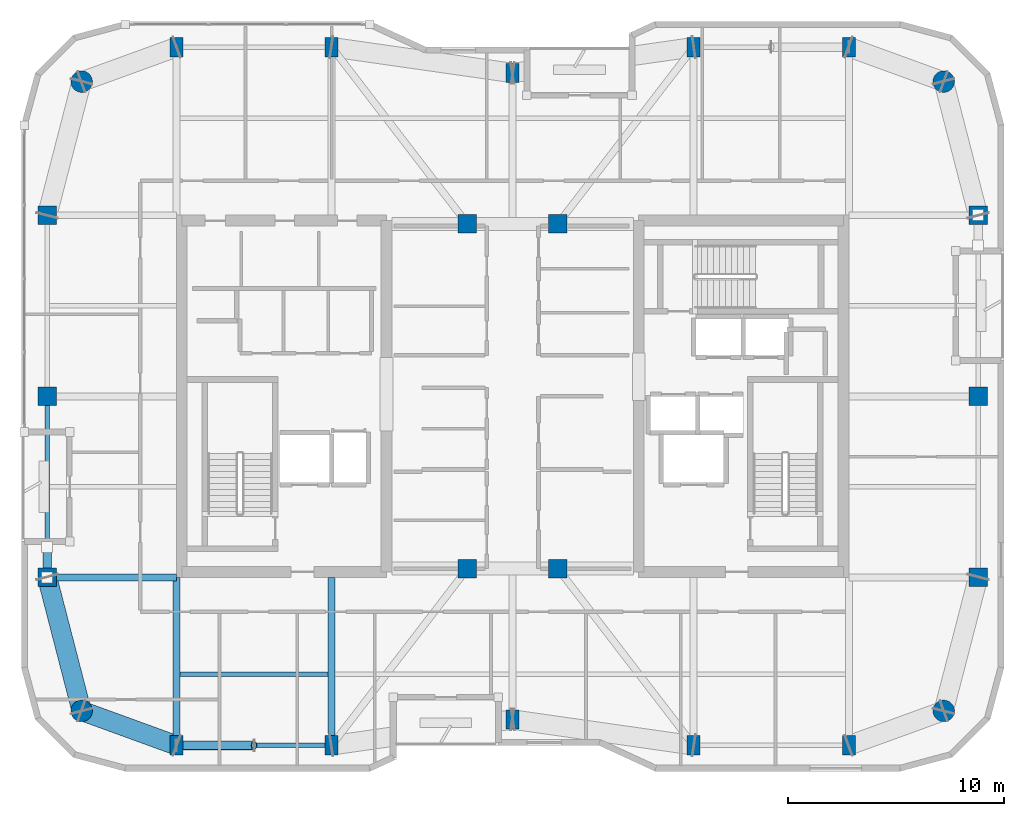
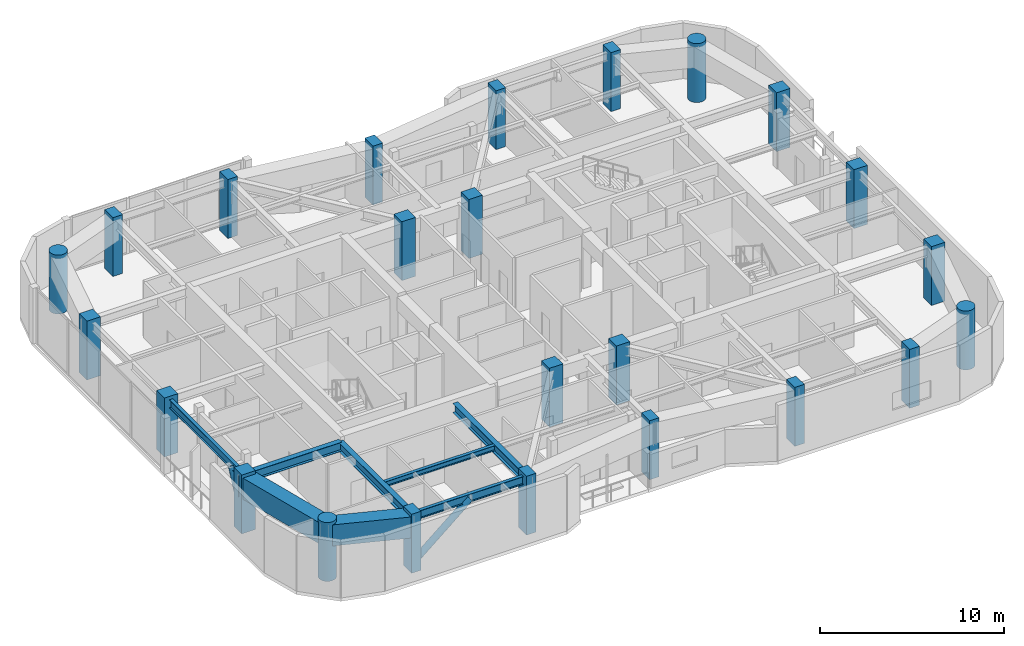
# One storey, part 1 of 16: 24 columns, 8 beams, 2 members.
"""IFC4 building model written with IfcOpenShell, lengths in metres."""

import ifcopenshell
import ifcopenshell.guid

model = None  # the IFC model being written
_history = None  # IfcOwnerHistory: only IFC2X3 demands one
_inside = {}  # id of a spatial element -> (the spatial element, [elements in it])
_under = {}  # id of a project, library or spatial element -> (it, [spatial elements below it])
_declared = {}  # id of a project -> (the project, [libraries it declares])
_typed = {}  # id of a type object -> (the type object, [elements of that type])
_made_of = {}  # id of a material, layer set ... -> (it, [elements and type objects made of it])


def new_model(schema):
    """Start an empty IFC model of exactly this schema.

    Asked for "IFC4X3", IfcOpenShell would pick the latest addendum, in which some entities
    have other attributes; the version numbers below select the first issue.
    IFC2X3 requires an IfcOwnerHistory on every rooted entity: one is made here for all.
    """
    global model, _history
    if schema == "IFC4X3":
        model = ifcopenshell.file(schema_version=(4, 3, 0, 0))
    else:
        model = ifcopenshell.file(schema=schema)
    _inside.clear()
    _under.clear()
    _declared.clear()
    _typed.clear()
    _made_of.clear()
    _history = None
    if model.schema == "IFC2X3":
        org = make("IfcOrganization", Name="unknown")
        user = make(
            "IfcPersonAndOrganization",
            ThePerson=make("IfcPerson", FamilyName="unknown"),
            TheOrganization=org,
        )
        app = make(
            "IfcApplication",
            ApplicationDeveloper=org,
            Version="unknown",
            ApplicationFullName="unknown",
            ApplicationIdentifier="unknown",
        )
        _history = make(
            "IfcOwnerHistory",
            OwningUser=user,
            OwningApplication=app,
            ChangeAction="ADDED",
            CreationDate=0,
        )
    return model


def make(cls, **values):
    """One entity of the class cls with the attributes given. An attribute that is None is left unset."""
    return model.create_entity(
        cls, **{name: value for name, value in values.items() if value is not None}
    )


def rooted(cls, **values):
    """An entity with a GlobalId (a new one), such as an element, a storey or a relation."""
    return make(cls, GlobalId=ifcopenshell.guid.new(), OwnerHistory=_history, **values)


def si_unit(unit_type, name, prefix=None):
    """IfcSIUnit, for example si_unit("LENGTHUNIT", "METRE", prefix="MILLI")."""
    return make("IfcSIUnit", UnitType=unit_type, Prefix=prefix, Name=name)


def assignment(units):
    """IfcUnitAssignment: the units of a project."""
    return None if units is None else make("IfcUnitAssignment", Units=units)


def point(xyz):
    """IfcCartesianPoint."""
    return None if xyz is None else make("IfcCartesianPoint", Coordinates=xyz)


def direction(xyz):
    """IfcDirection."""
    return None if xyz is None else make("IfcDirection", DirectionRatios=xyz)


def frame(location, z_axis=None, x_axis=None):
    """IfcAxis2Placement3D, a coordinate frame: its origin and axes. An axis left out is left unset."""
    return make(
        "IfcAxis2Placement3D",
        Location=point(location),
        Axis=direction(z_axis),
        RefDirection=direction(x_axis),
    )


def frame_2d(location, x_axis=None):
    """IfcAxis2Placement2D, a coordinate frame in the plane: its origin and x axis."""
    return make(
        "IfcAxis2Placement2D", Location=point(location), RefDirection=direction(x_axis)
    )


def origin():
    """The frame at (0, 0, 0) with its axes left unset."""
    return frame((0.0, 0.0, 0.0))


def origin_2d():
    """The frame at (0, 0) in the plane with its x axis left unset."""
    return frame_2d((0.0, 0.0))


def place(relative_to, where):
    """IfcLocalPlacement: puts the frame where relative to a parent placement (None: the world)."""
    return make(
        "IfcLocalPlacement", PlacementRelTo=relative_to, RelativePlacement=where
    )


def context(
    kind, dimensions, precision=None, world=None, true_north=None, identifier=None
):
    """IfcGeometricRepresentationContext, for example the 3D "Model" context."""
    return make(
        "IfcGeometricRepresentationContext",
        ContextIdentifier=identifier,
        ContextType=kind,
        CoordinateSpaceDimension=dimensions,
        Precision=precision,
        WorldCoordinateSystem=world,
        TrueNorth=true_north,
    )


def subcontext(parent, identifier, kind, view, scale=None):
    """IfcGeometricRepresentationSubContext, for example "Body" below "Model"."""
    return make(
        "IfcGeometricRepresentationSubContext",
        ContextIdentifier=identifier,
        ContextType=kind,
        ParentContext=parent,
        TargetScale=scale,
        TargetView=view,
    )


def project(units=None, contexts=None):
    """IfcProject with its units and contexts."""
    return rooted(
        "IfcProject",
        Name="project",
        RepresentationContexts=contexts,
        UnitsInContext=assignment(units),
    )


def spatial(cls, under=None, at=None, **own):
    """A site, building, storey or space (cls), placed at a placement, below another one or the project."""
    s = rooted(cls, ObjectPlacement=at, **own)
    if under is not None:
        _under.setdefault(under.id(), (under, []))[1].append(s)
    return s


def profile(cls, at=None, kind="AREA", **sizes):
    """A parametric profile (cls). Its sizes go by their IFC names, for example OverallWidth=200.0."""
    return make(cls, ProfileType=kind, Position=at, **sizes)


def rectangle(**sizes):
    """IfcRectangleProfileDef."""
    return profile("IfcRectangleProfileDef", **sizes)


def hollow_rectangle(**sizes):
    """IfcRectangleHollowProfileDef."""
    return profile("IfcRectangleHollowProfileDef", **sizes)


def circle(**sizes):
    """IfcCircleProfileDef."""
    return profile("IfcCircleProfileDef", **sizes)


def hollow_circle(**sizes):
    """IfcCircleHollowProfileDef."""
    return profile("IfcCircleHollowProfileDef", **sizes)


def i_section(**sizes):
    """IfcIShapeProfileDef."""
    return profile("IfcIShapeProfileDef", **sizes)


def extrude(swept, where, along, depth):
    """IfcExtrudedAreaSolid: the profile swept, set in the frame where, extruded along a direction by depth."""
    return make(
        "IfcExtrudedAreaSolid",
        SweptArea=swept,
        Position=where,
        ExtrudedDirection=direction(along),
        Depth=depth,
    )


def shape(context_of_items, identifier, shape_type, items):
    """IfcShapeRepresentation: the items that make up one representation, for example the "Body"."""
    return make(
        "IfcShapeRepresentation",
        ContextOfItems=context_of_items,
        RepresentationIdentifier=identifier,
        RepresentationType=shape_type,
        Items=items,
    )


def material(Name=None, Category=None):
    """IfcMaterial."""
    return make("IfcMaterial", Name=Name, Category=Category)


def material_profile(
    of_material, cross_section, Name=None, Category=None, Priority=None
):
    """IfcMaterialProfile: a cross section and its material."""
    return make(
        "IfcMaterialProfile",
        Name=Name,
        Material=of_material,
        Profile=cross_section,
        Priority=Priority,
        Category=Category,
    )


def profile_set(profiles, Name=None, composite=None):
    """IfcMaterialProfileSet."""
    return make(
        "IfcMaterialProfileSet",
        Name=Name,
        MaterialProfiles=profiles,
        CompositeProfile=composite,
    )


def made_of(thing, what):
    """Note that an element or type object is made of a material, layer set ...; save() writes the relation."""
    if what is not None:
        _made_of.setdefault(what.id(), (what, []))[1].append(thing)
    return thing


def type_object(cls, material=None, **own):
    """A type object (cls), such as IfcWallType, which elements share."""
    return made_of(rooted(cls, **own), material)


def element(
    cls,
    number,
    at=None,
    inside=None,
    cuts=None,
    type_object=None,
    material=None,
    context=None,
    identifier="Body",
    shape_type=None,
    held_by="IfcProductDefinitionShape",
    body=None,
    shapes=None,
    **own,
):
    """One element of the class cls, such as IfcWall. Its Tag is "e" and its number.

    at: its placement. inside: the storey or other place that contains it. cuts: it is an
    opening in that element (IfcRelVoidsElement). A single representation is given by context,
    identifier, shape_type and body (its items); several are given by shapes. held_by: the class
    of the entity that holds the representations. save() writes the other relations.
    """
    e = rooted(cls, Tag="e%d" % number, ObjectPlacement=at, **own)
    if body is not None:
        shapes = [shape(context, identifier, shape_type, body)]
    if shapes is not None:
        e.Representation = make(held_by, Representations=shapes)
    if inside is not None:
        _inside.setdefault(inside.id(), (inside, []))[1].append(e)
    if cuts is not None:
        rooted(
            "IfcRelVoidsElement", RelatingBuildingElement=cuts, RelatedOpeningElement=e
        )
    if type_object is not None:
        _typed.setdefault(type_object.id(), (type_object, []))[1].append(e)
    return made_of(e, material)


def aggregate(whole, parts):
    """IfcRelAggregates: a whole, such as a stair, and the parts it consists of."""
    return rooted("IfcRelAggregates", RelatingObject=whole, RelatedObjects=parts)


def save(model, path):
    """Write the relations noted so far, then the file.

    IfcRelAggregates (storeys below a building ...), IfcRelContainedInSpatialStructure (elements
    in a storey), IfcRelDefinesByType, IfcRelAssociatesMaterial and IfcRelDeclares: one each for
    every whole, place, type object, material and project.
    """
    for whole, parts in _under.values():
        aggregate(whole, parts)
    for where, things in _inside.values():
        rooted(
            "IfcRelContainedInSpatialStructure",
            RelatedElements=things,
            RelatingStructure=where,
        )
    for kind, things in _typed.values():
        rooted("IfcRelDefinesByType", RelatedObjects=things, RelatingType=kind)
    for what, things in _made_of.values():
        rooted("IfcRelAssociatesMaterial", RelatedObjects=things, RelatingMaterial=what)
    for by, libraries in _declared.values():
        rooted("IfcRelDeclares", RelatingContext=by, RelatedDefinitions=libraries)
    model.write(path)


model = new_model("IFC4")

# Units and contexts
model_context = context("Model", 3, precision=1e-05, world=origin(), true_north=direction((0.0, 1.0)))
body_context = subcontext(model_context, "Body", "Model", "MODEL_VIEW")
ifc_project = project(units=[si_unit("LENGTHUNIT", "METRE"), si_unit("AREAUNIT", "SQUARE_METRE"), si_unit("VOLUMEUNIT", "CUBIC_METRE"), si_unit("PLANEANGLEUNIT", "RADIAN"), si_unit("MASSUNIT", "GRAM", prefix="KILO")], contexts=[model_context])

# Site, building, storey
site_placement = place(None, origin())
site = spatial("IfcSite", under=ifc_project, at=site_placement, CompositionType="ELEMENT")
building_placement = place(site_placement, origin())
building = spatial("IfcBuilding", under=site, at=building_placement, Name="Kiyonajd Concourse Tower", CompositionType="ELEMENT")
storey_placement = place(building_placement, frame((0.0, 0.0, 306.300048828125)))
storey = spatial("IfcBuildingStorey", under=building, at=storey_placement, Name="L77", CompositionType="ELEMENT", Elevation=306.300048828125)

# Columns
ifc_material_1 = material(Name="Concrete C60/75", Category="concrete")
ifc_material_profile_1 = material_profile(ifc_material_1, rectangle(XDim=0.60009765625, YDim=0.89990234375, at=origin_2d()), Name="RC-900x600")
ifc_profile_set_1 = profile_set([ifc_material_profile_1], Name="Concrete C60/75")
column_type_1 = type_object("IfcColumnType", Name="CL-BLADE-900", PredefinedType="COLUMN", material=ifc_profile_set_1)
for number, where, z_axis, x_axis, name in (
    (1, (32.39990234375, 19.800048828125, 0.0), (0.0, 0.0, 1.0), (1.0, 0.0, 0.0), "L77 Perimeter Bundled Tube Column"),
    (2, (32.39990234375, 52.199951171875, 0.0), (0.0, 0.0, 1.0), (1.0, 0.0, 0.0), "L77 Perimeter Bundled Tube Column"),
    (3, (39.60009765625, 19.800048828125, 0.0), (0.0, 0.0, 1.0), (1.0, 0.0, 0.0), "L77 Perimeter Bundled Tube Column"),
    (4, (39.60009765625, 52.199951171875, 0.0), (0.0, 0.0, 1.0), (1.0, 0.0, 0.0), "L77 Perimeter Bundled Tube Column"),
    (5, (48.0, 21.0, 0.0), (0.0, 0.0, 1.0), (1.0, 0.0, 0.0), "L77 Perimeter Bundled Tube Column"),
    (6, (48.0, 51.0, 0.0), (0.0, 0.0, 1.0), (1.0, 0.0, 0.0), "L77 Perimeter Bundled Tube Column"),
    (7, (56.39990234375, 19.800048828125, 0.0), (0.0, 0.0, 1.0), (1.0, 0.0, 0.0), "L77 Perimeter Bundled Tube Column"),
    (8, (56.39990234375, 52.199951171875, 0.0), (0.0, 0.0, 1.0), (1.0, 0.0, 0.0), "L77 Perimeter Bundled Tube Column"),
    (9, (63.60009765625, 19.800048828125, 0.0), (0.0, 0.0, 1.0), (1.0, 0.0, 0.0), "L77 Perimeter Bundled Tube Column"),
    (10, (63.60009765625, 52.199951171875, 0.0), (0.0, 0.0, 1.0), (1.0, 0.0, 0.0), "L77 Perimeter Bundled Tube Column"),
):
    element("IfcColumn", number, at=place(storey_placement, frame(where, z_axis=z_axis, x_axis=x_axis)), inside=storey, type_object=column_type_1, Name=name, PredefinedType="COLUMN", context=body_context, shape_type="SweptSolid", body=[
        extrude(rectangle(XDim=0.60009765625, YDim=0.89990234375, at=origin_2d()), origin(), (0.0, 0.0, 1.0), 3.89990234375),
    ])
ifc_material_profile_2 = material_profile(ifc_material_1, circle(Radius=0.5, at=origin_2d()), Name="RCC-D1000")
ifc_profile_set_2 = profile_set([ifc_material_profile_2], Name="Concrete C60/75")
column_type_2 = type_object("IfcColumnType", Name="CL-RND-1000", PredefinedType="COLUMN", material=ifc_profile_set_2)
for number, where, z_axis, x_axis, name in (
    (11, (28.0, 21.39990234375, 0.0), (0.0, 0.0, 1.0), (1.0, 0.0, 0.0), "L77 Bundled Tube Corner Column South West"),
    (12, (68.0, 21.39990234375, 0.0), (0.0, 0.0, 1.0), (1.0, 0.0, 0.0), "L77 Bundled Tube Corner Column South East"),
    (13, (68.0, 50.60009765625, 0.0), (0.0, 0.0, 1.0), (1.0, 0.0, 0.0), "L77 Bundled Tube Corner Column North East"),
    (14, (28.0, 50.60009765625, 0.0), (0.0, 0.0, 1.0), (1.0, 0.0, 0.0), "L77 Bundled Tube Corner Column North West"),
):
    element("IfcColumn", number, at=place(storey_placement, frame(where, z_axis=z_axis, x_axis=x_axis)), inside=storey, type_object=column_type_2, Name=name, PredefinedType="COLUMN", context=body_context, shape_type="SweptSolid", body=[
        extrude(circle(Radius=0.5, at=origin_2d()), origin(), (0.0, 0.0, 1.0), 3.89990234375),
    ])
ifc_material_profile_3 = material_profile(ifc_material_1, rectangle(XDim=0.85009765625, YDim=0.85009765625, at=origin_2d()), Name="RC-850x850")
ifc_profile_set_3 = profile_set([ifc_material_profile_3], Name="Concrete C60/75")
column_type_3 = type_object("IfcColumnType", Name="CL-TUBE-850", PredefinedType="COLUMN", material=ifc_profile_set_3)
for number, where, z_axis, x_axis, name in (
    (15, (26.39990234375, 27.60009765625, 0.0), (0.0, 0.0, 1.0), (1.0, 0.0, 0.0), "L77 Perimeter Bundled Tube Column"),
    (16, (69.60009765625, 27.60009765625, 0.0), (0.0, 0.0, 1.0), (1.0, 0.0, 0.0), "L77 Perimeter Bundled Tube Column"),
    (17, (26.39990234375, 36.0, 0.0), (0.0, 0.0, 1.0), (1.0, 0.0, 0.0), "L77 Perimeter Bundled Tube Column"),
    (18, (69.60009765625, 36.0, 0.0), (0.0, 0.0, 1.0), (1.0, 0.0, 0.0), "L77 Perimeter Bundled Tube Column"),
    (19, (26.39990234375, 44.39990234375, 0.0), (0.0, 0.0, 1.0), (1.0, 0.0, 0.0), "L77 Perimeter Bundled Tube Column"),
    (20, (69.60009765625, 44.39990234375, 0.0), (0.0, 0.0, 1.0), (1.0, 0.0, 0.0), "L77 Perimeter Bundled Tube Column"),
    (21, (45.89990234375, 28.0, 0.0), (0.0, 0.0, 1.0), (1.0, 0.0, 0.0), "L77 Core Tie Column South West"),
    (22, (50.10009765625, 28.0, 0.0), (0.0, 0.0, 1.0), (1.0, 0.0, 0.0), "L77 Core Tie Column South East"),
    (23, (45.89990234375, 44.0, 0.0), (0.0, 0.0, 1.0), (1.0, 0.0, 0.0), "L77 Core Tie Column North West"),
    (24, (50.10009765625, 44.0, 0.0), (0.0, 0.0, 1.0), (1.0, 0.0, 0.0), "L77 Core Tie Column North East"),
):
    element("IfcColumn", number, at=place(storey_placement, frame(where, z_axis=z_axis, x_axis=x_axis)), inside=storey, type_object=column_type_3, Name=name, PredefinedType="COLUMN", context=body_context, shape_type="SweptSolid", body=[
        extrude(rectangle(XDim=0.85009765625, YDim=0.85009765625, at=origin_2d()), origin(), (0.0, 0.0, 1.0), 3.89990234375),
    ])

# Beams
ifc_material_2 = material(Name="Steel ASTM A992 Grade 50", Category="steel")
ifc_material_profile_4 = material_profile(ifc_material_2, i_section(OverallWidth=0.205078125, OverallDepth=0.35400390625, WebThickness=0.009521484375, FlangeThickness=0.016845703125, at=origin_2d()), Name="W360X79")
ifc_profile_set_4 = profile_set([ifc_material_profile_4], Name="Steel ASTM A992 Grade 50")
beam_type_1 = type_object("IfcBeamType", Name="BM-JST-360", PredefinedType="JOIST", material=ifc_profile_set_4)
beam_1_placement = place(storey_placement, frame((32.56201171875, 23.10009765625, 3.5029296875), z_axis=(1.0, 0.0, 0.0), x_axis=(0.0, 1.0, 0.0)))
element("IfcBeam", 25, at=beam_1_placement, inside=storey, type_object=beam_type_1, Name="L77 Secondary Floor Joist", PredefinedType="JOIST", context=body_context, shape_type="SweptSolid", body=[
    extrude(i_section(OverallWidth=0.205078125, OverallDepth=0.35400390625, WebThickness=0.009521484375, FlangeThickness=0.016845703125, at=origin_2d()), origin(), (0.0, 0.0, 1.0), 6.8759765625),
])
ifc_material_profile_5 = material_profile(ifc_material_2, i_section(OverallWidth=0.2109375, OverallDepth=0.5390625, WebThickness=0.01171875, FlangeThickness=0.018798828125, at=origin_2d()), Name="W530X109")
ifc_profile_set_5 = profile_set([ifc_material_profile_5], Name="Steel ASTM A992 Grade 50")
beam_type_2 = type_object("IfcBeamType", Name="BM-SPAN-530B", PredefinedType="SPANDREL", material=ifc_profile_set_5)
beam_2_placement = place(storey_placement, frame((32.39990234375, 19.800048828125, 3.410400390625), z_axis=(1.0, 0.0, 0.0), x_axis=(0.0, 1.0, 0.0)))
element("IfcBeam", 26, at=beam_2_placement, inside=storey, type_object=beam_type_2, Name="L77 Perimeter Bundled Tube Spandrel", PredefinedType="SPANDREL", context=body_context, shape_type="SweptSolid", body=[
    extrude(i_section(OverallWidth=0.2109375, OverallDepth=0.5390625, WebThickness=0.01171875, FlangeThickness=0.018798828125, at=origin_2d()), origin(), (0.0, 0.0, 1.0), 7.2001953125),
])
beam_3_placement = place(storey_placement, frame((26.39990234375, 36.0, 3.410400390625), z_axis=(0.0, -1.0, 0.0), x_axis=(1.0, 0.0, 0.0)))
element("IfcBeam", 27, at=beam_3_placement, inside=storey, type_object=beam_type_2, Name="L77 Perimeter Bundled Tube Spandrel", PredefinedType="SPANDREL", context=body_context, shape_type="SweptSolid", body=[
    extrude(i_section(OverallWidth=0.2109375, OverallDepth=0.5390625, WebThickness=0.01171875, FlangeThickness=0.018798828125, at=origin_2d()), origin(), (0.0, 0.0, 1.0), 8.39990234375),
])
ifc_material_profile_6 = material_profile(ifc_material_2, i_section(OverallWidth=0.323974609375, OverallDepth=0.611083984375, WebThickness=0.0126953125, FlangeThickness=0.01904296875, at=origin_2d()), Name="W610X155")
ifc_profile_set_6 = profile_set([ifc_material_profile_6], Name="Steel ASTM A992 Grade 50")
beam_type_3 = type_object("IfcBeamType", Name="BM-TWR-610B", PredefinedType="BEAM", material=ifc_profile_set_6)
for number, where, z_axis, x_axis, name in (
    (28, (32.39990234375, 19.800048828125, 3.37451171875), (0.0, 1.0, 0.0), (-1.0, 0.0, 0.0), "L77 South Lease Girder"),
    (29, (39.60009765625, 19.800048828125, 3.37451171875), (0.0, 1.0, 0.0), (-1.0, 0.0, 0.0), "L77 South Lease Girder"),
):
    element("IfcBeam", number, at=place(storey_placement, frame(where, z_axis=z_axis, x_axis=x_axis)), inside=storey, type_object=beam_type_3, Name=name, PredefinedType="BEAM", context=body_context, shape_type="SweptSolid", body=[
        extrude(i_section(OverallWidth=0.323974609375, OverallDepth=0.611083984375, WebThickness=0.0126953125, FlangeThickness=0.01904296875, at=origin_2d()), origin(), (0.0, 0.0, 1.0), 7.800048828125),
    ])
beam_4_placement = place(storey_placement, frame((26.39990234375, 27.60009765625, 3.37451171875), z_axis=(1.0, 0.0, 0.0), x_axis=(0.0, 1.0, 0.0)))
element("IfcBeam", 30, at=beam_4_placement, inside=storey, type_object=beam_type_3, Name="L77 West Lease Girder", PredefinedType="BEAM", context=body_context, shape_type="SweptSolid", body=[
    extrude(i_section(OverallWidth=0.323974609375, OverallDepth=0.611083984375, WebThickness=0.0126953125, FlangeThickness=0.01904296875, at=origin_2d()), origin(), (0.0, 0.0, 1.0), 6.0),
])
ifc_material_3 = material(Name="Steel ASTM A572 Grade 50", Category="steel")
ifc_material_profile_7 = material_profile(ifc_material_3, hollow_rectangle(XDim=0.89990234375, YDim=1.39990234375, WallThickness=0.070068359375, at=origin_2d()), Name="BOX-1400x900x70")
ifc_profile_set_7 = profile_set([ifc_material_profile_7], Name="Steel ASTM A572 Grade 50")
beam_type_4 = type_object("IfcBeamType", Name="BM-XFER-1400", PredefinedType="BEAM", material=ifc_profile_set_7)
beam_5_placement = place(storey_placement, frame((26.39990234375, 27.60009765625, 2.97998046875), z_axis=(0.249884937687, -0.968275538221, 0.0), x_axis=(0.968275538221, 0.249884937687, 0.0)))
element("IfcBeam", 31, at=beam_5_placement, inside=storey, type_object=beam_type_4, Name="L77 Perimeter Bundled Tube Spandrel", PredefinedType="BEAM", context=body_context, shape_type="SweptSolid", body=[
    extrude(hollow_rectangle(XDim=0.89990234375, YDim=1.39990234375, WallThickness=0.070068359375, at=origin_2d()), origin(), (0.0, 0.0, 1.0), 6.4033203125),
])
beam_6_placement = place(storey_placement, frame((28.0, 21.39990234375, 2.97998046875), z_axis=(0.939801036019, -0.341722127901, 0.0), x_axis=(0.341722127901, 0.939801036019, 0.0)))
element("IfcBeam", 32, at=beam_6_placement, inside=storey, type_object=beam_type_4, Name="L77 Perimeter Bundled Tube Spandrel", PredefinedType="BEAM", context=body_context, shape_type="SweptSolid", body=[
    extrude(hollow_rectangle(XDim=0.89990234375, YDim=1.39990234375, WallThickness=0.070068359375, at=origin_2d()), origin(), (0.0, 0.0, 1.0), 4.681640625),
])

# Members
ifc_material_4 = material(Name="Steel ASTM A500 Grade C", Category="steel")
ifc_material_profile_8 = material_profile(ifc_material_4, hollow_circle(Radius=0.202880859375, WallThickness=0.01904296875, at=origin_2d()), Name="CHS-406x19")
ifc_profile_set_8 = profile_set([ifc_material_profile_8], Name="Steel ASTM A500 Grade C")
member_type = type_object("IfcMemberType", Name="MB-PB-HIGH", PredefinedType="BRACE", material=ifc_profile_set_8)
member_1_placement = place(storey_placement, frame((32.39990234375, 19.800048828125, 0.300048828125), z_axis=(0.765107605277, 0.0, 0.643902440085), x_axis=(0.0, 1.0, 0.0)))
element("IfcMember", 33, at=member_1_placement, inside=storey, type_object=member_type, Name="L77 Upper Zone Hollow Tube Brace PBS", PredefinedType="BRACE", context=body_context, shape_type="SweptSolid", body=[
    extrude(hollow_circle(Radius=0.202880859375, WallThickness=0.01904296875, at=origin_2d()), origin(), (0.0, 0.0, 1.0), 4.705322265625),
])
member_2_placement = place(storey_placement, frame((26.39990234375, 27.60009765625, 0.300048828125), z_axis=(0.0, 0.419438517439, 0.907783746323), x_axis=(-1.0, 0.0, 0.0)))
element("IfcMember", 34, at=member_2_placement, inside=storey, type_object=member_type, Name="L77 Upper Zone Hollow Tube Brace PBW", PredefinedType="BRACE", context=body_context, shape_type="SweptSolid", body=[
    extrude(hollow_circle(Radius=0.202880859375, WallThickness=0.01904296875, at=origin_2d()), origin(), (0.0, 0.0, 1.0), 3.337646484375),
])

save(model, "model.ifc")
